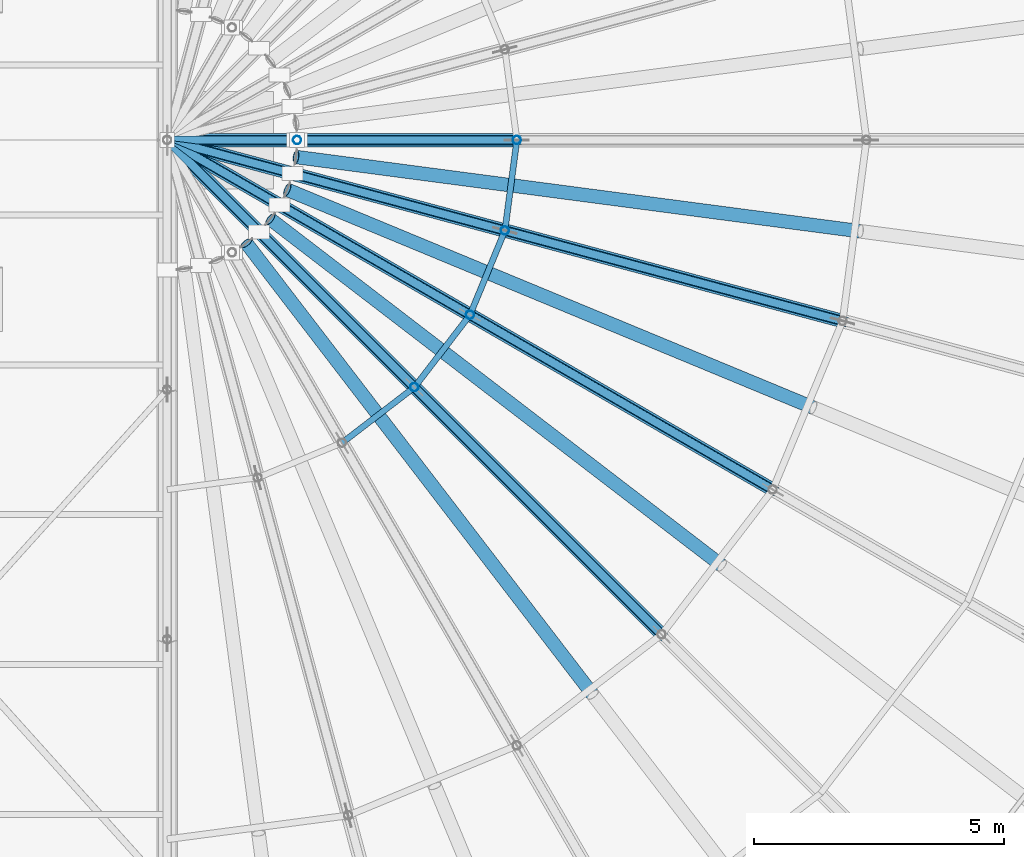
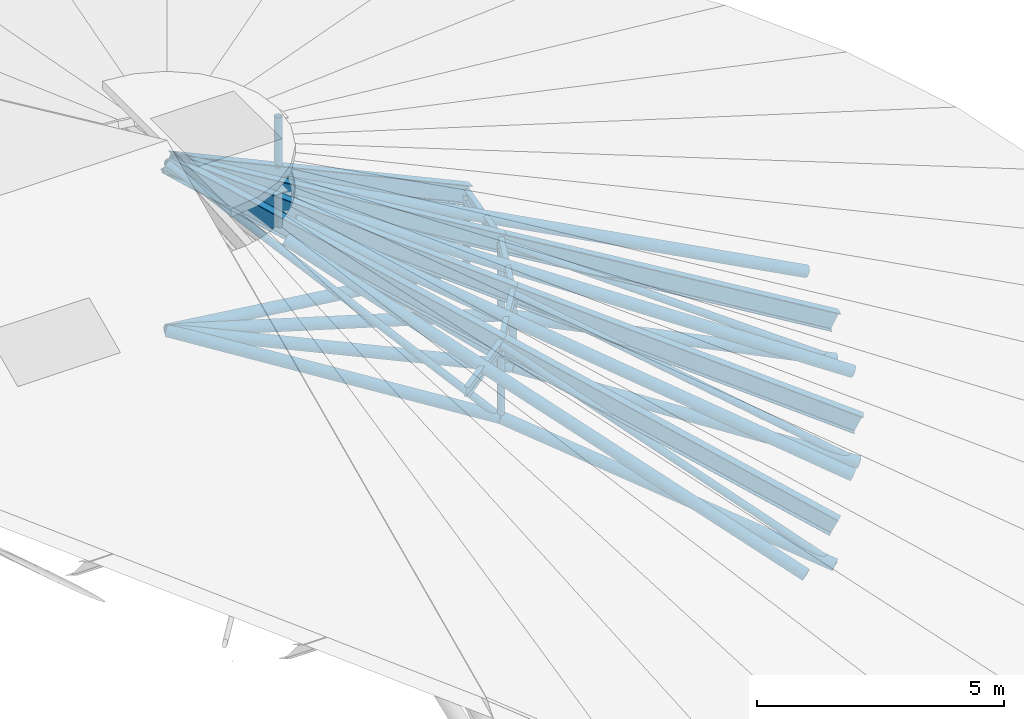
# One storey, part 38 of 107: 34 members.
"""IFC4 building model written with IfcOpenShell, lengths in metres."""

from ifc_helpers import new_model, si_unit, derived_unit, direction, frame, origin, origin_2d, place, context, subcontext, project, spatial, hollow_circle, i_section, extrude, material, material_profile, profile_set, type_object, element, save


model = new_model("IFC4")

# Units and contexts
model_context = context("Model", 3, precision=1e-05, world=origin(), true_north=direction((0.0, 1.0)))
body_context = subcontext(model_context, "Body", "Model", "MODEL_VIEW")
ifc_project = project(units=[si_unit("LENGTHUNIT", "METRE"), si_unit("AREAUNIT", "SQUARE_METRE"), si_unit("VOLUMEUNIT", "CUBIC_METRE"), si_unit("PLANEANGLEUNIT", "RADIAN"), si_unit("MASSUNIT", "GRAM", prefix="KILO"), si_unit("THERMODYNAMICTEMPERATUREUNIT", "KELVIN"), si_unit("TIMEUNIT", "SECOND"), derived_unit("THERMALTRANSMITTANCEUNIT", [(si_unit("MASSUNIT", "GRAM", prefix="KILO"), 1), (si_unit("THERMODYNAMICTEMPERATUREUNIT", "KELVIN"), -1), (si_unit("TIMEUNIT", "SECOND"), -3)])], contexts=[model_context])

# Site, building, storey
site_placement = place(None, origin())
site = spatial("IfcSite", under=ifc_project, at=site_placement, CompositionType="ELEMENT")
building_placement = place(site_placement, origin())
building = spatial("IfcBuilding", under=site, at=building_placement, Name="Cambertide Market Hall", CompositionType="ELEMENT")
storey_placement = place(building_placement, frame((0.0, 0.0, 18.300048828125)))
storey = spatial("IfcBuildingStorey", under=building, at=storey_placement, Name="RF", CompositionType="ELEMENT", Elevation=18.300048828125)

# Members
ifc_material_1 = material(Name="Steel S355", Category="steel")
ifc_material_profile_1 = material_profile(ifc_material_1, hollow_circle(Radius=0.136474609375, WallThickness=0.010009765625, at=origin_2d()), Name="CHS 273x10")
ifc_profile_set_1 = profile_set([ifc_material_profile_1], Name="Steel S355")
member_type_1 = type_object("IfcMemberType", Name="Arched Truss Chord CHS 273x10", PredefinedType="CHORD", material=ifc_profile_set_1)
member_1_placement = place(storey_placement, frame((105.0, 72.0, -4.5), z_axis=(0.701564713257, -0.701564713257, -0.124955617025), x_axis=(0.707106781187, 0.707106781187, 0.0)))
element("IfcMember", 1, at=member_1_placement, inside=storey, type_object=member_type_1, Name="Half-Cone Radial Arch Chord E-06-1", PredefinedType="CHORD", context=body_context, shape_type="SweptSolid", body=[
    extrude(hollow_circle(Radius=0.136474609375, WallThickness=0.010009765625, at=origin_2d()), origin(), (0.0, 0.0, 1.0), 7.05517578125),
])
member_2_placement = place(storey_placement, frame((109.94970703125, 67.05029296875, -5.381591796875), z_axis=(0.669628706701, -0.669628706701, -0.321239459474), x_axis=(0.707106781187, 0.707106781187, 0.0)))
element("IfcMember", 2, at=member_2_placement, inside=storey, type_object=member_type_1, Name="Half-Cone Radial Arch Chord E-06-2", PredefinedType="CHORD", context=body_context, shape_type="SweptSolid", body=[
    extrude(hollow_circle(Radius=0.136474609375, WallThickness=0.010009765625, at=origin_2d()), origin(), (0.0, 0.0, 1.0), 7.3916015625),
])
member_3_placement = place(storey_placement, frame((105.0, 72.0, -4.5), z_axis=(0.859240788635, -0.496076515077, -0.124953424661), x_axis=(0.499995173006, 0.866028190633, 0.0)))
element("IfcMember", 3, at=member_3_placement, inside=storey, type_object=member_type_1, Name="Half-Cone Radial Arch Chord E-08-1", PredefinedType="CHORD", context=body_context, shape_type="SweptSolid", body=[
    extrude(hollow_circle(Radius=0.136474609375, WallThickness=0.010009765625, at=origin_2d()), origin(), (0.0, 0.0, 1.0), 7.055419921875),
])
member_4_placement = place(storey_placement, frame((111.062255859375, 68.5, -5.381591796875), z_axis=(0.820117658259, -0.473508125204, -0.321243026348), x_axis=(0.500010275428, 0.866019471182, 0.0)))
element("IfcMember", 4, at=member_4_placement, inside=storey, type_object=member_type_1, Name="Half-Cone Radial Arch Chord E-08-2", PredefinedType="CHORD", context=body_context, shape_type="SweptSolid", body=[
    extrude(hollow_circle(Radius=0.136474609375, WallThickness=0.010009765625, at=origin_2d()), origin(), (0.0, 0.0, 1.0), 7.3916015625),
])
member_5_placement = place(storey_placement, frame((105.0, 72.0, -4.5), z_axis=(0.958354076456, -0.256795291619, -0.124954561115), x_axis=(0.258823832372, 0.965924543531, 0.0)))
element("IfcMember", 5, at=member_5_placement, inside=storey, type_object=member_type_1, Name="Half-Cone Radial Arch Chord E-10-1", PredefinedType="CHORD", context=body_context, shape_type="SweptSolid", body=[
    extrude(hollow_circle(Radius=0.136474609375, WallThickness=0.010009765625, at=origin_2d()), origin(), (0.0, 0.0, 1.0), 7.055419921875),
])
member_6_placement = place(storey_placement, frame((111.761474609375, 70.188232421875, -5.381591796875), z_axis=(0.914729420004, -0.245105868419, -0.321236986422), x_axis=(0.258823832372, 0.965924543531, 0.0)))
element("IfcMember", 6, at=member_6_placement, inside=storey, type_object=member_type_1, Name="Half-Cone Radial Arch Chord E-10-2", PredefinedType="CHORD", context=body_context, shape_type="SweptSolid", body=[
    extrude(hollow_circle(Radius=0.136474609375, WallThickness=0.010009765625, at=origin_2d()), origin(), (0.0, 0.0, 1.0), 7.391845703125),
])
member_7_placement = place(storey_placement, frame((105.0, 72.0, -4.5), z_axis=(0.992162458928, 0.0, -0.124954612137), x_axis=(0.0, 1.0, 0.0)))
element("IfcMember", 7, at=member_7_placement, inside=storey, type_object=member_type_1, Name="Half-Cone Radial Arch Chord E-12-1", PredefinedType="CHORD", context=body_context, shape_type="SweptSolid", body=[
    extrude(hollow_circle(Radius=0.136474609375, WallThickness=0.010009765625, at=origin_2d()), origin(), (0.0, 0.0, 1.0), 7.05517578125),
])
ifc_material_2 = material(Name="Steel S355", Category="steel")
ifc_material_profile_2 = material_profile(ifc_material_2, hollow_circle(Radius=0.136474609375, WallThickness=0.010009765625, at=origin_2d()), Name="CHS 273x10")
ifc_profile_set_2 = profile_set([ifc_material_profile_2], Name="Steel S355")
member_type_2 = type_object("IfcMemberType", Name="Radial Fan Rafter CHS 273x10", PredefinedType="RAFTER", material=ifc_profile_set_2)
for number, where, z_axis, x_axis, name in (
    (8, (106.582763671875, 69.937255859375, -1.546142578125), (0.553060460579, -0.720752999442, -0.417898601026), (0.793349495449, 0.608766439672, 0.0), "RAF-E-05-A"),
    (9, (107.062744140625, 70.417236328125, -1.546142578125), (0.720752999442, -0.553060460579, -0.417898601026), (0.608766439672, 0.793349495449, 0.0), "RAF-E-07-A"),
    (10, (107.402099609375, 71.005126953125, -1.546142578125), (0.839333931883, -0.347679586527, -0.417896465529), (0.382698547937, 0.923873271292, 0.0), "RAF-E-09-A"),
    (11, (107.57763671875, 71.66064453125, -1.546142578125), (0.900721251164, -0.11858507454, -0.417898083027), (0.130529299847, 0.991444452242, 0.0), "RAF-E-11-A"),
):
    element("IfcMember", number, at=place(storey_placement, frame(where, z_axis=z_axis, x_axis=x_axis)), inside=storey, type_object=member_type_2, Name=name, PredefinedType="RAFTER", context=body_context, shape_type="SweptSolid", body=[
        extrude(hollow_circle(Radius=0.136474609375, WallThickness=0.010009765625, at=origin_2d()), origin(), (0.0, 0.0, 1.0), 12.54833984375),
    ])
ifc_material_3 = material(Name="Steel S355", Category="steel")
ifc_material_profile_3 = material_profile(ifc_material_3, i_section(OverallWidth=0.18994140625, OverallDepth=0.449951171875, WebThickness=0.009521484375, FlangeThickness=0.0146484375, FilletRadius=0.02099609375, at=origin_2d()), Name="IPE 450")
ifc_profile_set_3 = profile_set([ifc_material_profile_3], Name="Steel S355")
member_type_3 = type_object("IfcMemberType", Name="Radial Fan Rafter IPE 450", PredefinedType="RAFTER", material=ifc_profile_set_3)
for number, where, z_axis, x_axis, name in (
    (12, (105.0, 72.0, -0.35009765625), (0.642399863947, -0.642399863947, -0.417905287837), (0.707106781187, 0.707106781187, 0.0), "Half-Cone Radial Truss Rafter E-06-1"),
    (13, (109.94970703125, 67.05029296875, -3.570068359375), (0.642399863947, -0.642399863947, -0.417905287837), (0.707106781187, 0.707106781187, 0.0), "Half-Cone Radial Truss Rafter E-06-2"),
    (14, (105.0, 72.0, -0.35009765625), (0.786780919627, -0.454242328693, -0.417899140146), (0.499995173006, 0.866028190633, 0.0), "Half-Cone Radial Truss Rafter E-08-1"),
):
    element("IfcMember", number, at=place(storey_placement, frame(where, z_axis=z_axis, x_axis=x_axis)), inside=storey, type_object=member_type_3, Name=name, PredefinedType="RAFTER", context=body_context, shape_type="SweptSolid", body=[
        extrude(i_section(OverallWidth=0.18994140625, OverallDepth=0.449951171875, WebThickness=0.009521484375, FlangeThickness=0.0146484375, FilletRadius=0.02099609375, at=origin_2d()), origin(), (0.0, 0.0, 1.0), 7.705078125),
    ])
member_8_placement = place(storey_placement, frame((111.062255859375, 68.5, -3.570068359375), z_axis=(0.786768847794, -0.454253652919, -0.417909558339), x_axis=(0.500010275428, 0.866019471182, 0.0)))
element("IfcMember", 15, at=member_8_placement, inside=storey, type_object=member_type_3, Name="Half-Cone Radial Truss Rafter E-08-2", PredefinedType="RAFTER", context=body_context, shape_type="SweptSolid", body=[
    extrude(i_section(OverallWidth=0.18994140625, OverallDepth=0.449951171875, WebThickness=0.009521484375, FlangeThickness=0.0146484375, FilletRadius=0.02099609375, at=origin_2d()), origin(), (0.0, 0.0, 1.0), 7.704833984375),
])
for number, where, z_axis, x_axis, name in (
    (16, (105.0, 72.0, -0.35009765625), (0.877534683767, -0.235139371303, -0.417902326925), (0.258823832372, 0.965924543531, 0.0), "Half-Cone Radial Truss Rafter E-10-1"),
    (17, (111.761474609375, 70.188232421875, -3.570068359375), (0.877534683767, -0.235139371303, -0.417902326925), (0.258823832372, 0.965924543531, 0.0), "Half-Cone Radial Truss Rafter E-10-2"),
    (18, (105.0, 72.0, -0.35009765625), (0.90849189626, 0.0, -0.417902469998), (0.0, 1.0, 0.0), "Half-Cone Radial Truss Rafter E-12-1"),
):
    element("IfcMember", number, at=place(storey_placement, frame(where, z_axis=z_axis, x_axis=x_axis)), inside=storey, type_object=member_type_3, Name=name, PredefinedType="RAFTER", context=body_context, shape_type="SweptSolid", body=[
        extrude(i_section(OverallWidth=0.18994140625, OverallDepth=0.449951171875, WebThickness=0.009521484375, FlangeThickness=0.0146484375, FilletRadius=0.02099609375, at=origin_2d()), origin(), (0.0, 0.0, 1.0), 7.705078125),
    ])
ifc_material_4 = material(Name="Steel S275", Category="steel")
ifc_material_profile_4 = material_profile(ifc_material_4, i_section(OverallWidth=0.1201171875, OverallDepth=0.239990234375, WebThickness=0.006103515625, FlangeThickness=0.009765625, FilletRadius=0.014892578125, at=origin_2d()), Name="IPE 240")
ifc_profile_set_4 = profile_set([ifc_material_profile_4], Name="Steel S275")
member_type_4 = type_object("IfcMemberType", Name="Roof Purlin IPE 240", PredefinedType="PURLIN", material=ifc_profile_set_4)
for number, where, z_axis, x_axis, name in (
    (19, (108.5, 65.937744140625, -3.570068359375), (0.79331382789, 0.608812919113, 0.0), (-0.608812919113, 0.79331382789, 0.0), "CPUR-E-70-03"),
    (20, (109.94970703125, 67.05029296875, -3.570068359375), (0.608812919113, 0.79331382789, 0.0), (-0.79331382789, 0.608812919113, 0.0), "CPUR-E-70-04"),
    (21, (111.062255859375, 68.5, -3.570068359375), (0.382650727073, 0.923893078809, 0.0), (-0.923893078809, 0.382650727073, 0.0), "CPUR-E-70-05"),
    (22, (111.761474609375, 70.188232421875, -3.570068359375), (0.130527087244, 0.991444743541, 0.0), (-0.991444743541, 0.130527087244, 0.0), "CPUR-E-70-06"),
):
    element("IfcMember", number, at=place(storey_placement, frame(where, z_axis=z_axis, x_axis=x_axis)), inside=storey, type_object=member_type_4, Name=name, PredefinedType="PURLIN", context=body_context, shape_type="SweptSolid", body=[
        extrude(i_section(OverallWidth=0.1201171875, OverallDepth=0.239990234375, WebThickness=0.006103515625, FlangeThickness=0.009765625, FilletRadius=0.014892578125, at=origin_2d()), origin(), (0.0, 0.0, 1.0), 1.827392578125),
    ])
ifc_material_5 = material(Name="Steel S355", Category="steel")
ifc_material_profile_5 = material_profile(ifc_material_5, hollow_circle(Radius=0.084228515625, WallThickness=0.00634765625, at=origin_2d()), Name="CHS 168.3x6.3")
ifc_profile_set_5 = profile_set([ifc_material_profile_5], Name="Steel S355")
member_type_5 = type_object("IfcMemberType", Name="Structural Brace CHS 168.3x6.3", PredefinedType="BRACE", material=ifc_profile_set_5)
member_9_placement = place(storey_placement, frame((109.94970703125, 67.05029296875, -5.381591796875), z_axis=(-0.574170486906, 0.574170486906, 0.583657865476), x_axis=(-0.707106781187, -0.707106781187, 0.0)))
element("IfcMember", 23, at=member_9_placement, inside=storey, type_object=member_type_5, Name="RWB-E-06-D1", PredefinedType="BRACE", context=body_context, shape_type="SweptSolid", body=[
    extrude(hollow_circle(Radius=0.084228515625, WallThickness=0.00634765625, at=origin_2d()), origin(), (0.0, 0.0, 1.0), 8.62060546875),
])
member_10_placement = place(storey_placement, frame((114.8994140625, 62.1005859375, -7.756103515625), z_axis=(-0.606871234224, 0.606871234224, 0.513239330276), x_axis=(-0.707106781187, -0.707106781187, 0.0)))
element("IfcMember", 24, at=member_10_placement, inside=storey, type_object=member_type_5, Name="RWB-E-06-D2", PredefinedType="BRACE", context=body_context, shape_type="SweptSolid", body=[
    extrude(hollow_circle(Radius=0.084228515625, WallThickness=0.00634765625, at=origin_2d()), origin(), (0.0, 0.0, 1.0), 8.156005859375),
])
member_11_placement = place(storey_placement, frame((109.94970703125, 67.05029296875, -5.381591796875), z_axis=(0.0, 0.0, 1.0), x_axis=(1.0, 0.0, 0.0)))
element("IfcMember", 25, at=member_11_placement, inside=storey, type_object=member_type_5, Name="RWV-E-06-V1", PredefinedType="BRACE", context=body_context, shape_type="SweptSolid", body=[
    extrude(hollow_circle(Radius=0.084228515625, WallThickness=0.00634765625, at=origin_2d()), origin(), (0.0, 0.0, 1.0), 1.8115234375),
])
member_12_placement = place(storey_placement, frame((111.062255859375, 68.5, -5.381591796875), z_axis=(-0.703218891749, 0.405998390403, 0.583651006405), x_axis=(-0.499995173006, -0.866028190633, 0.0)))
element("IfcMember", 26, at=member_12_placement, inside=storey, type_object=member_type_5, Name="RWB-E-08-D1", PredefinedType="BRACE", context=body_context, shape_type="SweptSolid", body=[
    extrude(hollow_circle(Radius=0.084228515625, WallThickness=0.00634765625, at=origin_2d()), origin(), (0.0, 0.0, 1.0), 8.62060546875),
])
member_13_placement = place(storey_placement, frame((117.124267578125, 65.0, -7.756103515625), z_axis=(-0.743254916034, 0.429130184304, 0.513244010887), x_axis=(-0.500010275428, -0.866019471182, 0.0)))
element("IfcMember", 27, at=member_13_placement, inside=storey, type_object=member_type_5, Name="RWB-E-08-D2", PredefinedType="BRACE", context=body_context, shape_type="SweptSolid", body=[
    extrude(hollow_circle(Radius=0.084228515625, WallThickness=0.00634765625, at=origin_2d()), origin(), (0.0, 0.0, 1.0), 8.156005859375),
])
member_14_placement = place(storey_placement, frame((111.062255859375, 68.5, -5.381591796875), z_axis=(0.0, 0.0, 1.0), x_axis=(1.0, 0.0, 0.0)))
element("IfcMember", 28, at=member_14_placement, inside=storey, type_object=member_type_5, Name="RWV-E-08-V1", PredefinedType="BRACE", context=body_context, shape_type="SweptSolid", body=[
    extrude(hollow_circle(Radius=0.084228515625, WallThickness=0.00634765625, at=origin_2d()), origin(), (0.0, 0.0, 1.0), 1.8115234375),
])
member_15_placement = place(storey_placement, frame((111.761474609375, 70.188232421875, -5.381591796875), z_axis=(-0.784332723238, 0.210165486158, 0.58365456195), x_axis=(-0.258823832372, -0.965924543531, 0.0)))
element("IfcMember", 29, at=member_15_placement, inside=storey, type_object=member_type_5, Name="RWB-E-10-D1", PredefinedType="BRACE", context=body_context, shape_type="SweptSolid", body=[
    extrude(hollow_circle(Radius=0.084228515625, WallThickness=0.00634765625, at=origin_2d()), origin(), (0.0, 0.0, 1.0), 8.62060546875),
])
member_16_placement = place(storey_placement, frame((118.52294921875, 68.37646484375, -7.756103515625), z_axis=(-0.829002296418, 0.222134899502, 0.513236085011), x_axis=(-0.258823832372, -0.965924543531, 0.0)))
element("IfcMember", 30, at=member_16_placement, inside=storey, type_object=member_type_5, Name="RWB-E-10-D2", PredefinedType="BRACE", context=body_context, shape_type="SweptSolid", body=[
    extrude(hollow_circle(Radius=0.084228515625, WallThickness=0.00634765625, at=origin_2d()), origin(), (0.0, 0.0, 1.0), 8.15625),
])
member_17_placement = place(storey_placement, frame((111.761474609375, 70.188232421875, -5.381591796875), z_axis=(0.0, 0.0, 1.0), x_axis=(1.0, 0.0, 0.0)))
element("IfcMember", 31, at=member_17_placement, inside=storey, type_object=member_type_5, Name="RWV-E-10-V1", PredefinedType="BRACE", context=body_context, shape_type="SweptSolid", body=[
    extrude(hollow_circle(Radius=0.084228515625, WallThickness=0.00634765625, at=origin_2d()), origin(), (0.0, 0.0, 1.0), 1.8115234375),
])
member_18_placement = place(storey_placement, frame((112.0, 72.0, -5.381591796875), z_axis=(-0.812001949492, 0.0, 0.583654721578), x_axis=(0.0, -1.0, 0.0)))
element("IfcMember", 32, at=member_18_placement, inside=storey, type_object=member_type_5, Name="RWB-E-12-D1", PredefinedType="BRACE", context=body_context, shape_type="SweptSolid", body=[
    extrude(hollow_circle(Radius=0.084228515625, WallThickness=0.00634765625, at=origin_2d()), origin(), (0.0, 0.0, 1.0), 8.62060546875),
])
member_19_placement = place(storey_placement, frame((112.0, 72.0, -5.381591796875), z_axis=(0.0, 0.0, 1.0), x_axis=(1.0, 0.0, 0.0)))
element("IfcMember", 33, at=member_19_placement, inside=storey, type_object=member_type_5, Name="RWV-E-12-V1", PredefinedType="BRACE", context=body_context, shape_type="SweptSolid", body=[
    extrude(hollow_circle(Radius=0.084228515625, WallThickness=0.00634765625, at=origin_2d()), origin(), (0.0, 0.0, 1.0), 1.8115234375),
])
member_20_placement = place(storey_placement, frame((107.60009765625, 72.0, -1.345947265625), z_axis=(0.0, 0.0, 1.0), x_axis=(1.0, 0.0, 0.0)))
element("IfcMember", 34, at=member_20_placement, inside=storey, type_object=member_type_5, Name="Oculus Lantern Curb Post E-2", PredefinedType="BRACE", context=body_context, shape_type="SweptSolid", body=[
    extrude(hollow_circle(Radius=0.084228515625, WallThickness=0.00634765625, at=origin_2d()), origin(), (0.0, 0.0, 1.0), 1.23583984375),
])

save(model, "model.ifc")
